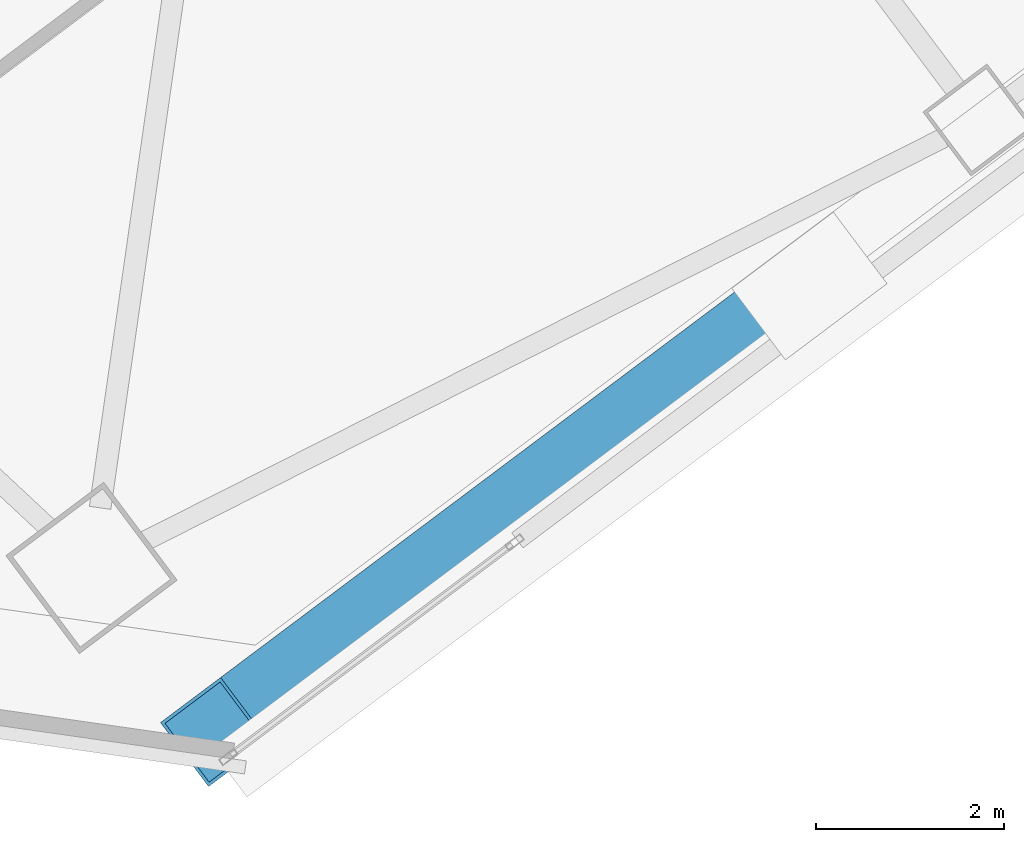
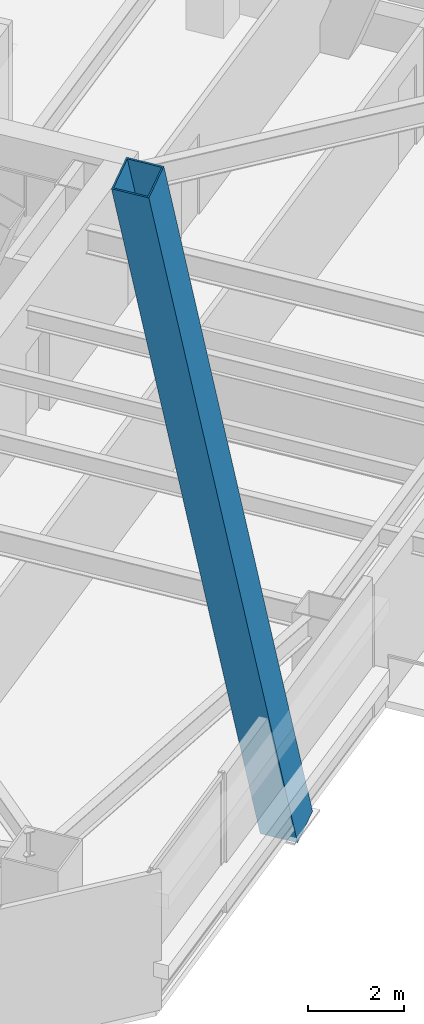
# One storey, part 27 of 54: 1 member.
"""IFC4 building model written with IfcOpenShell, lengths in metres."""

import ifcopenshell
import ifcopenshell.guid

model = None  # the IFC model being written
_history = None  # IfcOwnerHistory: only IFC2X3 demands one
_inside = {}  # id of a spatial element -> (the spatial element, [elements in it])
_under = {}  # id of a project, library or spatial element -> (it, [spatial elements below it])
_declared = {}  # id of a project -> (the project, [libraries it declares])
_typed = {}  # id of a type object -> (the type object, [elements of that type])
_made_of = {}  # id of a material, layer set ... -> (it, [elements and type objects made of it])


def new_model(schema):
    """Start an empty IFC model of exactly this schema.

    Asked for "IFC4X3", IfcOpenShell would pick the latest addendum, in which some entities
    have other attributes; the version numbers below select the first issue.
    IFC2X3 requires an IfcOwnerHistory on every rooted entity: one is made here for all.
    """
    global model, _history
    if schema == "IFC4X3":
        model = ifcopenshell.file(schema_version=(4, 3, 0, 0))
    else:
        model = ifcopenshell.file(schema=schema)
    _inside.clear()
    _under.clear()
    _declared.clear()
    _typed.clear()
    _made_of.clear()
    _history = None
    if model.schema == "IFC2X3":
        org = make("IfcOrganization", Name="unknown")
        user = make(
            "IfcPersonAndOrganization",
            ThePerson=make("IfcPerson", FamilyName="unknown"),
            TheOrganization=org,
        )
        app = make(
            "IfcApplication",
            ApplicationDeveloper=org,
            Version="unknown",
            ApplicationFullName="unknown",
            ApplicationIdentifier="unknown",
        )
        _history = make(
            "IfcOwnerHistory",
            OwningUser=user,
            OwningApplication=app,
            ChangeAction="ADDED",
            CreationDate=0,
        )
    return model


def make(cls, **values):
    """One entity of the class cls with the attributes given. An attribute that is None is left unset."""
    return model.create_entity(
        cls, **{name: value for name, value in values.items() if value is not None}
    )


def rooted(cls, **values):
    """An entity with a GlobalId (a new one), such as an element, a storey or a relation."""
    return make(cls, GlobalId=ifcopenshell.guid.new(), OwnerHistory=_history, **values)


def si_unit(unit_type, name, prefix=None):
    """IfcSIUnit, for example si_unit("LENGTHUNIT", "METRE", prefix="MILLI")."""
    return make("IfcSIUnit", UnitType=unit_type, Prefix=prefix, Name=name)


def assignment(units):
    """IfcUnitAssignment: the units of a project."""
    return None if units is None else make("IfcUnitAssignment", Units=units)


def point(xyz):
    """IfcCartesianPoint."""
    return None if xyz is None else make("IfcCartesianPoint", Coordinates=xyz)


def direction(xyz):
    """IfcDirection."""
    return None if xyz is None else make("IfcDirection", DirectionRatios=xyz)


def frame(location, z_axis=None, x_axis=None):
    """IfcAxis2Placement3D, a coordinate frame: its origin and axes. An axis left out is left unset."""
    return make(
        "IfcAxis2Placement3D",
        Location=point(location),
        Axis=direction(z_axis),
        RefDirection=direction(x_axis),
    )


def frame_2d(location, x_axis=None):
    """IfcAxis2Placement2D, a coordinate frame in the plane: its origin and x axis."""
    return make(
        "IfcAxis2Placement2D", Location=point(location), RefDirection=direction(x_axis)
    )


def origin():
    """The frame at (0, 0, 0) with its axes left unset."""
    return frame((0.0, 0.0, 0.0))


def origin_2d():
    """The frame at (0, 0) in the plane with its x axis left unset."""
    return frame_2d((0.0, 0.0))


def place(relative_to, where):
    """IfcLocalPlacement: puts the frame where relative to a parent placement (None: the world)."""
    return make(
        "IfcLocalPlacement", PlacementRelTo=relative_to, RelativePlacement=where
    )


def context(
    kind, dimensions, precision=None, world=None, true_north=None, identifier=None
):
    """IfcGeometricRepresentationContext, for example the 3D "Model" context."""
    return make(
        "IfcGeometricRepresentationContext",
        ContextIdentifier=identifier,
        ContextType=kind,
        CoordinateSpaceDimension=dimensions,
        Precision=precision,
        WorldCoordinateSystem=world,
        TrueNorth=true_north,
    )


def subcontext(parent, identifier, kind, view, scale=None):
    """IfcGeometricRepresentationSubContext, for example "Body" below "Model"."""
    return make(
        "IfcGeometricRepresentationSubContext",
        ContextIdentifier=identifier,
        ContextType=kind,
        ParentContext=parent,
        TargetScale=scale,
        TargetView=view,
    )


def project(units=None, contexts=None):
    """IfcProject with its units and contexts."""
    return rooted(
        "IfcProject",
        Name="project",
        RepresentationContexts=contexts,
        UnitsInContext=assignment(units),
    )


def spatial(cls, under=None, at=None, **own):
    """A site, building, storey or space (cls), placed at a placement, below another one or the project."""
    s = rooted(cls, ObjectPlacement=at, **own)
    if under is not None:
        _under.setdefault(under.id(), (under, []))[1].append(s)
    return s


def profile(cls, at=None, kind="AREA", **sizes):
    """A parametric profile (cls). Its sizes go by their IFC names, for example OverallWidth=200.0."""
    return make(cls, ProfileType=kind, Position=at, **sizes)


def hollow_rectangle(**sizes):
    """IfcRectangleHollowProfileDef."""
    return profile("IfcRectangleHollowProfileDef", **sizes)


def extrude(swept, where, along, depth):
    """IfcExtrudedAreaSolid: the profile swept, set in the frame where, extruded along a direction by depth."""
    return make(
        "IfcExtrudedAreaSolid",
        SweptArea=swept,
        Position=where,
        ExtrudedDirection=direction(along),
        Depth=depth,
    )


def shape(context_of_items, identifier, shape_type, items):
    """IfcShapeRepresentation: the items that make up one representation, for example the "Body"."""
    return make(
        "IfcShapeRepresentation",
        ContextOfItems=context_of_items,
        RepresentationIdentifier=identifier,
        RepresentationType=shape_type,
        Items=items,
    )


def material(Name=None, Category=None):
    """IfcMaterial."""
    return make("IfcMaterial", Name=Name, Category=Category)


def material_profile(
    of_material, cross_section, Name=None, Category=None, Priority=None
):
    """IfcMaterialProfile: a cross section and its material."""
    return make(
        "IfcMaterialProfile",
        Name=Name,
        Material=of_material,
        Profile=cross_section,
        Priority=Priority,
        Category=Category,
    )


def profile_set(profiles, Name=None, composite=None):
    """IfcMaterialProfileSet."""
    return make(
        "IfcMaterialProfileSet",
        Name=Name,
        MaterialProfiles=profiles,
        CompositeProfile=composite,
    )


def made_of(thing, what):
    """Note that an element or type object is made of a material, layer set ...; save() writes the relation."""
    if what is not None:
        _made_of.setdefault(what.id(), (what, []))[1].append(thing)
    return thing


def type_object(cls, material=None, **own):
    """A type object (cls), such as IfcWallType, which elements share."""
    return made_of(rooted(cls, **own), material)


def element(
    cls,
    number,
    at=None,
    inside=None,
    cuts=None,
    type_object=None,
    material=None,
    context=None,
    identifier="Body",
    shape_type=None,
    held_by="IfcProductDefinitionShape",
    body=None,
    shapes=None,
    **own,
):
    """One element of the class cls, such as IfcWall. Its Tag is "e" and its number.

    at: its placement. inside: the storey or other place that contains it. cuts: it is an
    opening in that element (IfcRelVoidsElement). A single representation is given by context,
    identifier, shape_type and body (its items); several are given by shapes. held_by: the class
    of the entity that holds the representations. save() writes the other relations.
    """
    e = rooted(cls, Tag="e%d" % number, ObjectPlacement=at, **own)
    if body is not None:
        shapes = [shape(context, identifier, shape_type, body)]
    if shapes is not None:
        e.Representation = make(held_by, Representations=shapes)
    if inside is not None:
        _inside.setdefault(inside.id(), (inside, []))[1].append(e)
    if cuts is not None:
        rooted(
            "IfcRelVoidsElement", RelatingBuildingElement=cuts, RelatedOpeningElement=e
        )
    if type_object is not None:
        _typed.setdefault(type_object.id(), (type_object, []))[1].append(e)
    return made_of(e, material)


def aggregate(whole, parts):
    """IfcRelAggregates: a whole, such as a stair, and the parts it consists of."""
    return rooted("IfcRelAggregates", RelatingObject=whole, RelatedObjects=parts)


def save(model, path):
    """Write the relations noted so far, then the file.

    IfcRelAggregates (storeys below a building ...), IfcRelContainedInSpatialStructure (elements
    in a storey), IfcRelDefinesByType, IfcRelAssociatesMaterial and IfcRelDeclares: one each for
    every whole, place, type object, material and project.
    """
    for whole, parts in _under.values():
        aggregate(whole, parts)
    for where, things in _inside.values():
        rooted(
            "IfcRelContainedInSpatialStructure",
            RelatedElements=things,
            RelatingStructure=where,
        )
    for kind, things in _typed.values():
        rooted("IfcRelDefinesByType", RelatedObjects=things, RelatingType=kind)
    for what, things in _made_of.values():
        rooted("IfcRelAssociatesMaterial", RelatedObjects=things, RelatingMaterial=what)
    for by, libraries in _declared.values():
        rooted("IfcRelDeclares", RelatingContext=by, RelatedDefinitions=libraries)
    model.write(path)


model = new_model("IFC4")

# Units and contexts
model_context = context("Model", 3, precision=1e-05, world=origin(), true_north=direction((0.0, 1.0)))
body_context = subcontext(model_context, "Body", "Model", "MODEL_VIEW")
ifc_project = project(units=[si_unit("LENGTHUNIT", "METRE"), si_unit("AREAUNIT", "SQUARE_METRE"), si_unit("VOLUMEUNIT", "CUBIC_METRE"), si_unit("PLANEANGLEUNIT", "RADIAN"), si_unit("MASSUNIT", "GRAM", prefix="KILO")], contexts=[model_context])

# Site, building, storey
site_placement = place(None, origin())
site = spatial("IfcSite", under=ifc_project, at=site_placement, CompositionType="ELEMENT")
building_placement = place(site_placement, origin())
building = spatial("IfcBuilding", under=site, at=building_placement, Name="Tashvorn Skyway Center", CompositionType="ELEMENT")
storey_placement = place(building_placement, frame((0.0, 0.0, 135.699951171875)))
storey = spatial("IfcBuildingStorey", under=building, at=storey_placement, Name="L36", CompositionType="ELEMENT", Elevation=135.699951171875)

# Member
ifc_material = material(Name="Steel ASTM A572 Grade 50", Category="steel")
ifc_material_profile = material_profile(ifc_material, hollow_rectangle(XDim=0.85009765625, YDim=0.85009765625, WallThickness=0.034912109375, at=origin_2d()), Name="BOX850x850x35")
ifc_profile_set = profile_set([ifc_material_profile], Name="Steel ASTM A572 Grade 50")
member_type = type_object("IfcMemberType", Name="MEM-MB-850", PredefinedType="BRACE", material=ifc_profile_set)
member_placement = place(storey_placement, frame((118.468017578125, 12.8759765625, -0.449951171875), z_axis=(-0.27569336859, -0.206767363973, 0.938744067204), x_axis=(0.599995055399, -0.800003708427, 0.0)))
element("IfcMember", 1, at=member_placement, inside=storey, type_object=member_type, Name="Tower 2 Zone 3 S Chevron Mega-Brace L2", PredefinedType="BRACE", context=body_context, shape_type="SweptSolid", body=[
    extrude(hollow_rectangle(XDim=0.85009765625, YDim=0.85009765625, WallThickness=0.034912109375, at=origin_2d()), origin(), (0.0, 0.0, 1.0), 22.92431640625),
])

save(model, "model.ifc")
